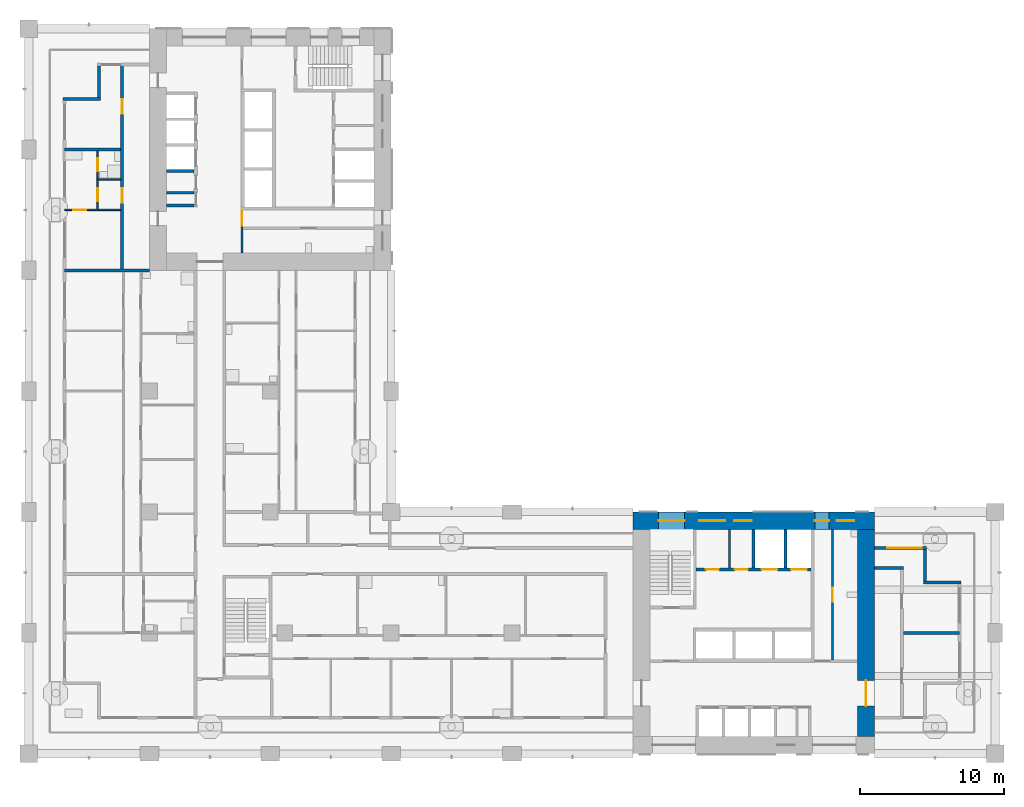
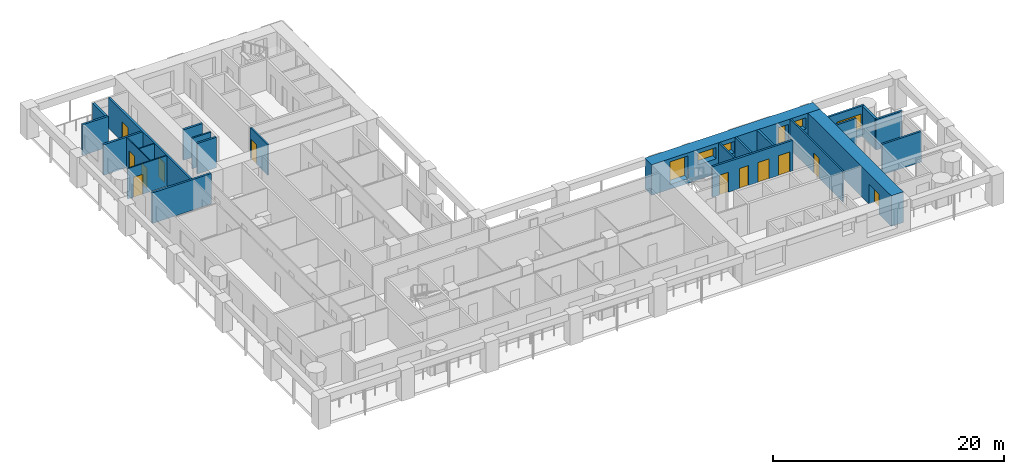
# One storey, part 6 of 18: 24 walls, 12 doors, 6 windows, 18 openings.
"""IFC4 building model written with IfcOpenShell, lengths in metres."""

from ifc_helpers import new_model, si_unit, direction, frame, frame_2d, origin, place, context, subcontext, project, spatial, rectangle, extrude, material, layer, layer_set, type_object, element, fill, save


model = new_model("IFC4")

# Units and contexts
model_context = context("Model", 3, precision=1e-05, world=origin(), true_north=direction((0.0, 1.0)))
body_context = subcontext(model_context, "Body", "Model", "MODEL_VIEW")
ifc_project = project(units=[si_unit("LENGTHUNIT", "METRE"), si_unit("AREAUNIT", "SQUARE_METRE"), si_unit("VOLUMEUNIT", "CUBIC_METRE"), si_unit("PLANEANGLEUNIT", "RADIAN"), si_unit("MASSUNIT", "GRAM", prefix="KILO")], contexts=[model_context])

# Site, building, storey
site_placement = place(None, origin())
site = spatial("IfcSite", under=ifc_project, at=site_placement, CompositionType="ELEMENT")
building_placement = place(site_placement, origin())
building = spatial("IfcBuilding", under=site, at=building_placement, Name="Vermilion Gate Residences", CompositionType="ELEMENT")
storey_placement = place(building_placement, frame((0.0, 0.0, 109.199951171875)))
storey = spatial("IfcBuildingStorey", under=building, at=storey_placement, Name="L27", CompositionType="ELEMENT", Elevation=109.199951171875)

# Wall
ifc_material_1 = material(Name="Masonry blockwork", Category="masonry")
ifc_layer_1 = layer(ifc_material_1, 0.14990234375)
ifc_layer_set_1 = layer_set([ifc_layer_1], Name="BLOCKWORK PARTITION 150 EI 120")
wall_type_1 = type_object("IfcWallType", Name="BLOCKWORK PARTITION 150 EI 120", PredefinedType="PARTITIONING", material=ifc_layer_set_1)
wall_1_placement = place(storey_placement, frame((48.72509765625, 21.300048828125, 0.0), z_axis=(0.0, 0.0, 1.0), x_axis=(0.0, 1.0, 0.0)))
element("IfcWall", 1, at=wall_1_placement, inside=storey, type_object=wall_type_1, Name="Core room partition A27-NR-P0", PredefinedType="PARTITIONING", context=body_context, shape_type="SweptSolid", body=[
    extrude(rectangle(XDim=2.699951171875, YDim=0.14990234375, at=frame_2d((1.35009765625, 0.0))), origin(), (0.0, 0.0, 1.0), 3.219970703125),
])

# Wall, opening, door
wall_2_placement = place(storey_placement, frame((55.875, 14.89990234375, 0.0), z_axis=(0.0, 0.0, 1.0), x_axis=(0.0, 1.0, 0.0)))
wall_2 = element("IfcWall", 2, at=wall_2_placement, inside=storey, type_object=wall_type_1, Name="Core room partition A27-ES-W", PredefinedType="PARTITIONING", context=body_context, shape_type="SweptSolid", body=[
    extrude(rectangle(XDim=9.10009765625, YDim=0.14990234375, at=frame_2d((4.550048828125, 0.0))), origin(), (0.0, 0.0, 1.0), 3.219970703125),
])
opening_1_placement = place(wall_2_placement, frame((4.050048828125, 0.0, 0.0)))
opening_1 = element("IfcOpeningElement", 3, at=opening_1_placement, cuts=wall_2, Name="Opening DK27015", PredefinedType="OPENING", context=body_context, shape_type="SweptSolid", body=[
    extrude(rectangle(XDim=1.0, YDim=2.10009765625, at=frame_2d((0.5, 1.050048828125))), frame((0.0, 0.0849609375, 0.0), z_axis=(0.0, -1.0, 0.0), x_axis=(1.0, 0.0, 0.0)), (0.0, 0.0, 1.0), 0.169921875),
])
ifc_material_2 = material(Name="Steel", Category="steel")
door_type_1 = type_object("IfcDoorType", Name="FIRE DOOR FD60 1000 X 2100", OperationType="SINGLE_SWING_LEFT", PredefinedType="DOOR", material=ifc_material_2)
door_1_placement = place(opening_1_placement, frame((1.0, 0.0, 0.0), z_axis=(0.0, 0.0, 1.0), x_axis=(-1.0, 0.0, 0.0)))
door_1 = element("IfcDoor", 4, at=door_1_placement, inside=storey, type_object=door_type_1, Name="Accessible WC A27", OperationType="SINGLE_SWING_RIGHT", OverallHeight=2.10009765625, OverallWidth=1.0, PredefinedType="DOOR", context=body_context, shape_type="SweptSolid", body=[
    extrude(rectangle(XDim=1.0, YDim=2.10009765625, at=frame_2d((0.5, 1.050048828125))), frame((0.0, 0.02490234375, 0.0), z_axis=(0.0, -1.0, 0.0), x_axis=(1.0, 0.0, 0.0)), (0.0, 0.0, 1.0), 0.050048828125),
])
fill(opening_1, door_1)

# Wall
wall_3_placement = place(storey_placement, frame((9.60009765625, 47.392578125, 0.0), z_axis=(0.0, 0.0, 1.0), x_axis=(1.0, 0.0, 0.0)))
element("IfcWall", 5, at=wall_3_placement, inside=storey, type_object=wall_type_1, Name="Core room partition B27-SR-P0", PredefinedType="PARTITIONING", context=body_context, shape_type="SweptSolid", body=[
    extrude(rectangle(XDim=1.89990234375, YDim=0.14990234375, at=frame_2d((0.949951171875, 0.0))), origin(), (0.0, 0.0, 1.0), 3.219970703125),
])

# Wall, opening, door
wall_4_placement = place(storey_placement, frame((14.824951171875, 46.199951171875, 0.0), z_axis=(0.0, 0.0, 1.0), x_axis=(0.0, -1.0, 0.0)))
wall_4 = element("IfcWall", 6, at=wall_4_placement, inside=storey, type_object=wall_type_1, Name="Core room partition B27-ES-S", PredefinedType="PARTITIONING", context=body_context, shape_type="SweptSolid", body=[
    extrude(rectangle(XDim=3.0, YDim=0.14990234375, at=frame_2d((1.5, 0.0))), origin(), (0.0, 0.0, 1.0), 3.219970703125),
])
opening_2_placement = place(wall_4_placement, frame((0.10009765625, 0.0, 0.0)))
opening_2 = element("IfcOpeningElement", 7, at=opening_2_placement, cuts=wall_4, Name="Opening DK27115", PredefinedType="OPENING", context=body_context, shape_type="SweptSolid", body=[
    extrude(rectangle(XDim=1.0, YDim=2.10009765625, at=frame_2d((0.5, 1.050048828125))), frame((0.0, 0.0849609375, 0.0), z_axis=(0.0, -1.0, 0.0), x_axis=(1.0, 0.0, 0.0)), (0.0, 0.0, 1.0), 0.169921875),
])
door_2_placement = place(opening_2_placement, frame((1.0, 0.0, 0.0), z_axis=(0.0, 0.0, 1.0), x_axis=(-1.0, 0.0, 0.0)))
door_2 = element("IfcDoor", 8, at=door_2_placement, inside=storey, type_object=door_type_1, Name="Service corridor door B27", OperationType="SINGLE_SWING_LEFT", OverallHeight=2.10009765625, OverallWidth=1.0, PredefinedType="DOOR", context=body_context, shape_type="SweptSolid", body=[
    extrude(rectangle(XDim=1.0, YDim=2.10009765625, at=frame_2d((0.5, 1.050048828125))), frame((0.0, 0.02490234375, 0.0), z_axis=(0.0, -1.0, 0.0), x_axis=(1.0, 0.0, 0.0)), (0.0, 0.0, 1.0), 0.050048828125),
])
fill(opening_2, door_2)

# Walls
ifc_material_3 = material(Name="Insulated steel stud wall with terracotta rainscreen", Category="masonry")
ifc_layer_2 = layer(ifc_material_3, 0.199951171875)
ifc_layer_set_2 = layer_set([ifc_layer_2], Name="EXTERNAL WALL 200 TERRACOTTA RAINSCREEN")
wall_type_2 = type_object("IfcWallType", Name="EXTERNAL WALL 200 TERRACOTTA RAINSCREEN", PredefinedType="SOLIDWALL", material=ifc_layer_set_2)
wall_5_placement = place(storey_placement, frame((4.89990234375, 56.199951171875, 0.0), z_axis=(0.0, 0.0, 1.0), x_axis=(0.0, -1.0, 0.0)))
element("IfcWall", 9, at=wall_5_placement, inside=storey, type_object=wall_type_2, Name="External wall", PredefinedType="SOLIDWALL", context=body_context, shape_type="SweptSolid", body=[
    extrude(rectangle(XDim=2.199951171875, YDim=0.199951171875, at=frame_2d((1.10009765625, 0.0))), origin(), (0.0, 0.0, 1.0), 3.219970703125),
])
for number, where, z_axis, x_axis, name in (
    (10, (5.0, 53.89990234375, 0.0), (0.0, 0.0, 1.0), (-1.0, 0.0, 0.0), "External wall"),
    (11, (64.800048828125, 20.300048828125, 0.0), (0.0, 0.0, 1.0), (-1.0, 0.0, 0.0), "External wall"),
):
    element("IfcWall", number, at=place(storey_placement, frame(where, z_axis=z_axis, x_axis=x_axis)), inside=storey, type_object=wall_type_2, Name=name, PredefinedType="SOLIDWALL", context=body_context, shape_type="SweptSolid", body=[
        extrude(rectangle(XDim=2.60009765625, YDim=0.199951171875, at=frame_2d((1.300048828125, 0.0))), origin(), (0.0, 0.0, 1.0), 3.219970703125),
    ])
wall_6_placement = place(storey_placement, frame((62.300048828125, 20.39990234375, 0.0), z_axis=(0.0, 0.0, 1.0), x_axis=(0.0, 1.0, 0.0)))
element("IfcWall", 12, at=wall_6_placement, inside=storey, type_object=wall_type_2, Name="External wall", PredefinedType="SOLIDWALL", context=body_context, shape_type="SweptSolid", body=[
    extrude(rectangle(XDim=2.2001953125, YDim=0.199951171875, at=frame_2d((1.10009765625, 0.0))), origin(), (0.0, 0.0, 1.0), 3.219970703125),
])

# Wall, opening, window
wall_7_placement = place(storey_placement, frame((62.39990234375, 22.699951171875, 0.0), z_axis=(0.0, 0.0, 1.0), x_axis=(-1.0, 0.0, 0.0)))
wall_7 = element("IfcWall", 13, at=wall_7_placement, inside=storey, type_object=wall_type_2, Name="External wall", PredefinedType="SOLIDWALL", context=body_context, shape_type="SweptSolid", body=[
    extrude(rectangle(XDim=3.599853515625, YDim=0.199951171875, at=frame_2d((1.7998046875, 0.0))), origin(), (0.0, 0.0, 1.0), 3.219970703125),
])
opening_3_placement = place(wall_7_placement, frame((0.300048828125, 0.0, 0.89990234375)))
opening_3 = element("IfcOpeningElement", 14, at=opening_3_placement, cuts=wall_7, Name="Opening WE27023", PredefinedType="OPENING", context=body_context, shape_type="SweptSolid", body=[
    extrude(rectangle(XDim=2.39990234375, YDim=1.5, at=frame_2d((1.199951171875, 0.75))), frame((0.0, 0.10986328125, 0.0), z_axis=(0.0, -1.0, 0.0), x_axis=(1.0, 0.0, 0.0)), (0.0, 0.0, 1.0), 0.219970703125),
])
ifc_material_4 = material(Name="Aluminium and clear glass", Category="aluminium")
window_type_1 = type_object("IfcWindowType", Name="WINDOW 2400 X 1500", PartitioningType="SINGLE_PANEL", PredefinedType="WINDOW", material=ifc_material_4)
window_1_placement = place(opening_3_placement, origin())
window_1 = element("IfcWindow", 15, at=window_1_placement, inside=storey, type_object=window_type_1, Name="Window", OverallHeight=1.5, OverallWidth=2.39990234375, PartitioningType="SINGLE_PANEL", PredefinedType="WINDOW", context=body_context, shape_type="SweptSolid", body=[
    extrude(rectangle(XDim=2.39990234375, YDim=1.5, at=frame_2d((1.199951171875, 0.75))), frame((0.0, 0.030029296875, 0.0), z_axis=(0.0, -1.0, 0.0), x_axis=(1.0, 0.0, 0.0)), (0.0, 0.0, 1.0), 0.06005859375),
])
fill(opening_3, window_1)

# Wall, opening, door
ifc_material_5 = material(Name="Plasterboard on steel studs", Category="steel")
ifc_layer_3 = layer(ifc_material_5, 0.10009765625)
ifc_layer_set_3 = layer_set([ifc_layer_3], Name="PARTITION 100")
wall_type_3 = type_object("IfcWallType", Name="PARTITION 100", PredefinedType="PARTITIONING", material=ifc_layer_set_3)
wall_8_placement = place(storey_placement, frame((2.5, 46.199951171875, 0.0), z_axis=(0.0, 0.0, 1.0), x_axis=(1.0, 0.0, 0.0)))
wall_8 = element("IfcWall", 16, at=wall_8_placement, inside=storey, type_object=wall_type_3, Name="Partition", PredefinedType="PARTITIONING", context=body_context, shape_type="SweptSolid", body=[
    extrude(rectangle(XDim=3.89990234375, YDim=0.10009765625, at=frame_2d((1.949951171875, 0.0))), origin(), (0.0, 0.0, 1.0), 3.219970703125),
])
opening_4_placement = place(wall_8_placement, frame((0.60009765625, 0.0, 0.0)))
opening_4 = element("IfcOpeningElement", 17, at=opening_4_placement, cuts=wall_8, Name="Opening DA25015", PredefinedType="OPENING", context=body_context, shape_type="SweptSolid", body=[
    extrude(rectangle(XDim=0.89990234375, YDim=2.10009765625, at=frame_2d((0.449951171875, 1.050048828125))), frame((0.0, 0.06005859375, 0.0), z_axis=(0.0, -1.0, 0.0), x_axis=(1.0, 0.0, 0.0)), (0.0, 0.0, 1.0), 0.1201171875),
])
ifc_material_6 = material(Name="Timber", Category="wood")
door_type_2 = type_object("IfcDoorType", Name="INTERIOR DOOR 900 X 2100", OperationType="SINGLE_SWING_LEFT", PredefinedType="DOOR", material=ifc_material_6)
door_3_placement = place(opening_4_placement, origin())
door_3 = element("IfcDoor", 18, at=door_3_placement, inside=storey, type_object=door_type_2, Name="Interior door", OperationType="SINGLE_SWING_LEFT", OverallHeight=2.10009765625, OverallWidth=0.89990234375, PredefinedType="DOOR", context=body_context, shape_type="SweptSolid", body=[
    extrude(rectangle(XDim=0.89990234375, YDim=2.10009765625, at=frame_2d((0.449951171875, 1.050048828125))), frame((0.0, 0.02490234375, 0.0), z_axis=(0.0, -1.0, 0.0), x_axis=(1.0, 0.0, 0.0)), (0.0, 0.0, 1.0), 0.050048828125),
])
fill(opening_4, door_3)

# Wall
wall_9_placement = place(storey_placement, frame((4.85009765625, 48.300048828125, 0.0), z_axis=(0.0, 0.0, 1.0), x_axis=(1.0, 0.0, 0.0)))
element("IfcWall", 19, at=wall_9_placement, inside=storey, type_object=wall_type_3, Name="Partition", PredefinedType="PARTITIONING", context=body_context, shape_type="SweptSolid", body=[
    extrude(rectangle(XDim=1.5498046875, YDim=0.10009765625, at=frame_2d((0.77490234375, 0.0))), origin(), (0.0, 0.0, 1.0), 3.219970703125),
])

# Wall, openings, doors
wall_10_placement = place(storey_placement, frame((4.800048828125, 46.25, 0.0), z_axis=(0.0, 0.0, 1.0), x_axis=(0.0, 1.0, 0.0)))
wall_10 = element("IfcWall", 20, at=wall_10_placement, inside=storey, type_object=wall_type_3, Name="Partition", PredefinedType="PARTITIONING", context=body_context, shape_type="SweptSolid", body=[
    extrude(rectangle(XDim=4.050048828125, YDim=0.10009765625, at=frame_2d((2.02490234375, 0.0))), origin(), (0.0, 0.0, 1.0), 3.219970703125),
])
opening_5_placement = place(wall_10_placement, frame((0.550048828125, 0.0, 0.0)))
opening_5 = element("IfcOpeningElement", 21, at=opening_5_placement, cuts=wall_10, Name="Opening DA25016", PredefinedType="OPENING", context=body_context, shape_type="SweptSolid", body=[
    extrude(rectangle(XDim=0.89990234375, YDim=2.10009765625, at=frame_2d((0.449951171875, 1.050048828125))), frame((0.0, 0.06005859375, 0.0), z_axis=(0.0, -1.0, 0.0), x_axis=(1.0, 0.0, 0.0)), (0.0, 0.0, 1.0), 0.1201171875),
])
opening_6_placement = place(wall_10_placement, frame((2.64990234375, 0.0, 0.0)))
opening_6 = element("IfcOpeningElement", 22, at=opening_6_placement, cuts=wall_10, Name="Opening DA25017", PredefinedType="OPENING", context=body_context, shape_type="SweptSolid", body=[
    extrude(rectangle(XDim=0.89990234375, YDim=2.10009765625, at=frame_2d((0.449951171875, 1.050048828125))), frame((0.0, 0.06005859375, 0.0), z_axis=(0.0, -1.0, 0.0), x_axis=(1.0, 0.0, 0.0)), (0.0, 0.0, 1.0), 0.1201171875),
])
door_4_placement = place(opening_5_placement, origin())
door_4 = element("IfcDoor", 23, at=door_4_placement, inside=storey, type_object=door_type_2, Name="Interior door", OperationType="SINGLE_SWING_LEFT", OverallHeight=2.10009765625, OverallWidth=0.89990234375, PredefinedType="DOOR", context=body_context, shape_type="SweptSolid", body=[
    extrude(rectangle(XDim=0.89990234375, YDim=2.10009765625, at=frame_2d((0.449951171875, 1.050048828125))), frame((0.0, 0.02490234375, 0.0), z_axis=(0.0, -1.0, 0.0), x_axis=(1.0, 0.0, 0.0)), (0.0, 0.0, 1.0), 0.050048828125),
])
fill(opening_5, door_4)
door_5_placement = place(opening_6_placement, frame((0.89990234375, 0.0, 0.0), z_axis=(0.0, 0.0, 1.0), x_axis=(-1.0, 0.0, 0.0)))
door_5 = element("IfcDoor", 24, at=door_5_placement, inside=storey, type_object=door_type_2, Name="Interior door", OperationType="SINGLE_SWING_RIGHT", OverallHeight=2.10009765625, OverallWidth=0.89990234375, PredefinedType="DOOR", context=body_context, shape_type="SweptSolid", body=[
    extrude(rectangle(XDim=0.89990234375, YDim=2.10009765625, at=frame_2d((0.449951171875, 1.050048828125))), frame((0.0, 0.02490234375, 0.0), z_axis=(0.0, -1.0, 0.0), x_axis=(1.0, 0.0, 0.0)), (0.0, 0.0, 1.0), 0.050048828125),
])
fill(opening_6, door_5)

# Walls
ifc_material_7 = material(Name="Fire-rated plasterboard on steel studs", Category="steel")
ifc_layer_4 = layer(ifc_material_7, 0.199951171875)
ifc_layer_set_4 = layer_set([ifc_layer_4], Name="PARTY WALL 200 EI 120")
wall_type_4 = type_object("IfcWallType", Name="PARTY WALL 200 EI 120", PredefinedType="PARTITIONING", material=ifc_layer_set_4)
wall_11_placement = place(storey_placement, frame((60.800048828125, 16.800048828125, 0.0), z_axis=(0.0, 0.0, 1.0), x_axis=(1.0, 0.0, 0.0)))
element("IfcWall", 25, at=wall_11_placement, inside=storey, type_object=wall_type_4, Name="Party and corridor wall", PredefinedType="PARTITIONING", context=body_context, shape_type="SweptSolid", body=[
    extrude(rectangle(XDim=3.89990234375, YDim=0.199951171875, at=frame_2d((1.949951171875, 0.0))), origin(), (0.0, 0.0, 1.0), 3.219970703125),
])
wall_12_placement = place(storey_placement, frame((58.800048828125, 21.300048828125, 0.0), z_axis=(0.0, 0.0, 1.0), x_axis=(1.0, 0.0, 0.0)))
element("IfcWall", 26, at=wall_12_placement, inside=storey, type_object=wall_type_4, Name="Party and corridor wall", PredefinedType="PARTITIONING", context=body_context, shape_type="SweptSolid", body=[
    extrude(rectangle(XDim=2.0, YDim=0.199951171875, at=frame_2d((1.0, 0.0))), origin(), (0.0, 0.0, 1.0), 3.219970703125),
])
wall_13_placement = place(storey_placement, frame((2.5, 42.0, 0.0), z_axis=(0.0, 0.0, 1.0), x_axis=(1.0, 0.0, 0.0)))
element("IfcWall", 27, at=wall_13_placement, inside=storey, type_object=wall_type_4, Name="Party and corridor wall", PredefinedType="PARTITIONING", context=body_context, shape_type="SweptSolid", body=[
    extrude(rectangle(XDim=5.89990234375, YDim=0.199951171875, at=frame_2d((2.949951171875, 0.0))), origin(), (0.0, 0.0, 1.0), 3.219970703125),
])
wall_14_placement = place(storey_placement, frame((2.5, 50.39990234375, 0.0), z_axis=(0.0, 0.0, 1.0), x_axis=(1.0, 0.0, 0.0)))
element("IfcWall", 28, at=wall_14_placement, inside=storey, type_object=wall_type_4, Name="Party and corridor wall", PredefinedType="PARTITIONING", context=body_context, shape_type="SweptSolid", body=[
    extrude(rectangle(XDim=3.89990234375, YDim=0.199951171875, at=frame_2d((1.949951171875, 0.0))), origin(), (0.0, 0.0, 1.0), 3.219970703125),
])

# Wall, openings, doors
wall_15_placement = place(storey_placement, frame((6.5, 42.10009765625, 0.0), z_axis=(0.0, 0.0, 1.0), x_axis=(0.0, 1.0, 0.0)))
wall_15 = element("IfcWall", 29, at=wall_15_placement, inside=storey, type_object=wall_type_4, Name="Party and corridor wall", PredefinedType="PARTITIONING", context=body_context, shape_type="SweptSolid", body=[
    extrude(rectangle(XDim=14.199951171875, YDim=0.199951171875, at=frame_2d((7.10009765625, 0.0))), origin(), (0.0, 0.0, 1.0), 3.219970703125),
])
opening_7_placement = place(wall_15_placement, frame((4.60009765625, 0.0, 0.0)))
opening_7 = element("IfcOpeningElement", 30, at=opening_7_placement, cuts=wall_15, Name="Opening DA25018", PredefinedType="OPENING", context=body_context, shape_type="SweptSolid", body=[
    extrude(rectangle(XDim=1.0, YDim=2.10009765625, at=frame_2d((0.5, 1.050048828125))), frame((0.0, 0.10986328125, 0.0), z_axis=(0.0, -1.0, 0.0), x_axis=(1.0, 0.0, 0.0)), (0.0, 0.0, 1.0), 0.219970703125),
])
opening_8_placement = place(wall_15_placement, frame((10.800048828125, 0.0, 0.0)))
opening_8 = element("IfcOpeningElement", 31, at=opening_8_placement, cuts=wall_15, Name="Opening DA25019", PredefinedType="OPENING", context=body_context, shape_type="SweptSolid", body=[
    extrude(rectangle(XDim=1.0, YDim=2.10009765625, at=frame_2d((0.5, 1.050048828125))), frame((0.0, 0.10986328125, 0.0), z_axis=(0.0, -1.0, 0.0), x_axis=(1.0, 0.0, 0.0)), (0.0, 0.0, 1.0), 0.219970703125),
])
ifc_material_8 = material(Name="Steel", Category="steel")
door_type_3 = type_object("IfcDoorType", Name="ENTRANCE DOOR 1000 X 2100 FD30", OperationType="SINGLE_SWING_LEFT", PredefinedType="DOOR", material=ifc_material_8)
door_6_placement = place(opening_7_placement, origin())
door_6 = element("IfcDoor", 32, at=door_6_placement, inside=storey, type_object=door_type_3, Name="Entrance door", OperationType="SINGLE_SWING_LEFT", OverallHeight=2.10009765625, OverallWidth=1.0, PredefinedType="DOOR", context=body_context, shape_type="SweptSolid", body=[
    extrude(rectangle(XDim=1.0, YDim=2.10009765625, at=frame_2d((0.5, 1.050048828125))), frame((0.0, 0.02490234375, 0.0), z_axis=(0.0, -1.0, 0.0), x_axis=(1.0, 0.0, 0.0)), (0.0, 0.0, 1.0), 0.050048828125),
])
fill(opening_7, door_6)
door_7_placement = place(opening_8_placement, origin())
door_7 = element("IfcDoor", 33, at=door_7_placement, inside=storey, type_object=door_type_3, Name="Entrance door", OperationType="SINGLE_SWING_RIGHT", OverallHeight=2.10009765625, OverallWidth=1.0, PredefinedType="DOOR", context=body_context, shape_type="SweptSolid", body=[
    extrude(rectangle(XDim=1.0, YDim=2.10009765625, at=frame_2d((0.5, 1.050048828125))), frame((0.0, 0.02490234375, 0.0), z_axis=(0.0, -1.0, 0.0), x_axis=(1.0, 0.0, 0.0)), (0.0, 0.0, 1.0), 0.050048828125),
])
fill(opening_8, door_7)

# Walls
ifc_material_9 = material(Name="Concrete C60", Category="concrete")
ifc_layer_5 = layer(ifc_material_9, 0.199951171875)
ifc_layer_set_5 = layer_set([ifc_layer_5], Name="RC CORE INTERNAL WALL 200 C60")
wall_type_5 = type_object("IfcWallType", Name="RC CORE INTERNAL WALL 200 C60", PredefinedType="SHEAR", material=ifc_layer_set_5)
for number, where, z_axis, x_axis, name in (
    (34, (50.39990234375, 21.300048828125, 0.0), (0.0, 0.0, 1.0), (0.0, 1.0, 0.0), "Core internal wall A27-FF-D0"),
    (35, (52.60009765625, 21.300048828125, 0.0), (0.0, 0.0, 1.0), (0.0, 1.0, 0.0), "Core internal wall A27-FF-D1"),
):
    element("IfcWall", number, at=place(storey_placement, frame(where, z_axis=z_axis, x_axis=x_axis)), inside=storey, type_object=wall_type_5, Name=name, PredefinedType="SHEAR", context=body_context, shape_type="SweptSolid", body=[
        extrude(rectangle(XDim=2.699951171875, YDim=0.199951171875, at=frame_2d((1.35009765625, 0.0))), origin(), (0.0, 0.0, 1.0), 3.219970703125),
    ])

# Wall, openings, doors
wall_16_placement = place(storey_placement, frame((46.39990234375, 21.199951171875, 0.0), z_axis=(0.0, 0.0, 1.0), x_axis=(1.0, 0.0, 0.0)))
wall_16 = element("IfcWall", 36, at=wall_16_placement, inside=storey, type_object=wall_type_5, Name="Core internal wall A27-FF-F", PredefinedType="SHEAR", context=body_context, shape_type="SweptSolid", body=[
    extrude(rectangle(XDim=8.0, YDim=0.199951171875, at=frame_2d((4.0, 0.0))), origin(), (0.0, 0.0, 1.0), 3.219970703125),
])
opening_9_placement = place(wall_16_placement, frame((0.675048828125, 0.0, 0.0)))
opening_9 = element("IfcOpeningElement", 37, at=opening_9_placement, cuts=wall_16, Name="Opening DK27008", PredefinedType="OPENING", context=body_context, shape_type="SweptSolid", body=[
    extrude(rectangle(XDim=0.89990234375, YDim=2.10009765625, at=frame_2d((0.449951171875, 1.050048828125))), frame((0.0, 0.10986328125, 0.0), z_axis=(0.0, -1.0, 0.0), x_axis=(1.0, 0.0, 0.0)), (0.0, 0.0, 1.0), 0.219970703125),
])
opening_10_placement = place(wall_16_placement, frame((2.699951171875, 0.0, 0.0)))
opening_10 = element("IfcOpeningElement", 38, at=opening_10_placement, cuts=wall_16, Name="Opening DK27009", PredefinedType="OPENING", context=body_context, shape_type="SweptSolid", body=[
    extrude(rectangle(XDim=0.89990234375, YDim=2.10009765625, at=frame_2d((0.449951171875, 1.050048828125))), frame((0.0, 0.10986328125, 0.0), z_axis=(0.0, -1.0, 0.0), x_axis=(1.0, 0.0, 0.0)), (0.0, 0.0, 1.0), 0.219970703125),
])
opening_11_placement = place(wall_16_placement, frame((4.550048828125, 0.0, 0.0)))
opening_11 = element("IfcOpeningElement", 39, at=opening_11_placement, cuts=wall_16, Name="Opening LD", PredefinedType="OPENING", context=body_context, shape_type="SweptSolid", body=[
    extrude(rectangle(XDim=1.10009765625, YDim=2.10009765625, at=frame_2d((0.550048828125, 1.050048828125))), frame((0.0, 0.10986328125, 0.0), z_axis=(0.0, -1.0, 0.0), x_axis=(1.0, 0.0, 0.0)), (0.0, 0.0, 1.0), 0.219970703125),
])
opening_12_placement = place(wall_16_placement, frame((6.60009765625, 0.0, 0.0)))
opening_12 = element("IfcOpeningElement", 40, at=opening_12_placement, cuts=wall_16, Name="Opening LD", PredefinedType="OPENING", context=body_context, shape_type="SweptSolid", body=[
    extrude(rectangle(XDim=1.10009765625, YDim=2.10009765625, at=frame_2d((0.550048828125, 1.050048828125))), frame((0.0, 0.10986328125, 0.0), z_axis=(0.0, -1.0, 0.0), x_axis=(1.0, 0.0, 0.0)), (0.0, 0.0, 1.0), 0.219970703125),
])
ifc_material_10 = material(Name="Stainless steel", Category="steel")
door_type_4 = type_object("IfcDoorType", Name="LIFT LANDING DOOR E60 1100 X 2100", OperationType="DOUBLE_DOOR_SLIDING", PredefinedType="DOOR", material=ifc_material_10)
door_8_placement = place(opening_11_placement, origin())
door_8 = element("IfcDoor", 41, at=door_8_placement, inside=storey, type_object=door_type_4, Name="Lift landing door LFA1", OperationType="DOUBLE_DOOR_SLIDING", OverallHeight=2.10009765625, OverallWidth=1.10009765625, PredefinedType="DOOR", context=body_context, shape_type="SweptSolid", body=[
    extrude(rectangle(XDim=1.10009765625, YDim=2.10009765625, at=frame_2d((0.550048828125, 1.050048828125))), frame((0.0, 0.02490234375, 0.0), z_axis=(0.0, -1.0, 0.0), x_axis=(1.0, 0.0, 0.0)), (0.0, 0.0, 1.0), 0.050048828125),
])
fill(opening_11, door_8)
door_9_placement = place(opening_12_placement, origin())
door_9 = element("IfcDoor", 42, at=door_9_placement, inside=storey, type_object=door_type_4, Name="Lift landing door LCA1", OperationType="DOUBLE_DOOR_SLIDING", OverallHeight=2.10009765625, OverallWidth=1.10009765625, PredefinedType="DOOR", context=body_context, shape_type="SweptSolid", body=[
    extrude(rectangle(XDim=1.10009765625, YDim=2.10009765625, at=frame_2d((0.550048828125, 1.050048828125))), frame((0.0, 0.02490234375, 0.0), z_axis=(0.0, -1.0, 0.0), x_axis=(1.0, 0.0, 0.0)), (0.0, 0.0, 1.0), 0.050048828125),
])
fill(opening_12, door_9)
ifc_material_11 = material(Name="Steel", Category="steel")
door_type_5 = type_object("IfcDoorType", Name="SERVICE ROOM DOOR FD60 900 X 2100", OperationType="SINGLE_SWING_LEFT", PredefinedType="DOOR", material=ifc_material_11)
door_10_placement = place(opening_9_placement, origin())
door_10 = element("IfcDoor", 43, at=door_10_placement, inside=storey, type_object=door_type_5, Name="Housekeeping store A27", OperationType="SINGLE_SWING_LEFT", OverallHeight=2.10009765625, OverallWidth=0.89990234375, PredefinedType="DOOR", context=body_context, shape_type="SweptSolid", body=[
    extrude(rectangle(XDim=0.89990234375, YDim=2.10009765625, at=frame_2d((0.449951171875, 1.050048828125))), frame((0.0, 0.02490234375, 0.0), z_axis=(0.0, -1.0, 0.0), x_axis=(1.0, 0.0, 0.0)), (0.0, 0.0, 1.0), 0.050048828125),
])
fill(opening_9, door_10)
door_11_placement = place(opening_10_placement, origin())
door_11 = element("IfcDoor", 44, at=door_11_placement, inside=storey, type_object=door_type_5, Name="Mail room A27", OperationType="SINGLE_SWING_LEFT", OverallHeight=2.10009765625, OverallWidth=0.89990234375, PredefinedType="DOOR", context=body_context, shape_type="SweptSolid", body=[
    extrude(rectangle(XDim=0.89990234375, YDim=2.10009765625, at=frame_2d((0.449951171875, 1.050048828125))), frame((0.0, 0.02490234375, 0.0), z_axis=(0.0, -1.0, 0.0), x_axis=(1.0, 0.0, 0.0)), (0.0, 0.0, 1.0), 0.050048828125),
])
fill(opening_10, door_11)

# Walls
for number, where, z_axis, x_axis, name in (
    (45, (9.60009765625, 48.89990234375, 0.0), (0.0, 0.0, 1.0), (1.0, 0.0, 0.0), "Core internal wall B27-LR-D3"),
    (46, (9.60009765625, 46.5, 0.0), (0.0, 0.0, 1.0), (1.0, 0.0, 0.0), "Core internal wall B27-LR-DE"),
):
    element("IfcWall", number, at=place(storey_placement, frame(where, z_axis=z_axis, x_axis=x_axis)), inside=storey, type_object=wall_type_5, Name=name, PredefinedType="SHEAR", context=body_context, shape_type="SweptSolid", body=[
        extrude(rectangle(XDim=1.89990234375, YDim=0.199951171875, at=frame_2d((0.949951171875, 0.0))), origin(), (0.0, 0.0, 1.0), 3.219970703125),
    ])

# Wall, opening, door
ifc_material_12 = material(Name="Concrete C70", Category="concrete")
ifc_layer_6 = layer(ifc_material_12, 1.199951171875)
ifc_layer_set_6 = layer_set([ifc_layer_6], Name="RC CORE WALL 1200 C70")
wall_type_6 = type_object("IfcWallType", Name="RC CORE WALL 1200 C70", PredefinedType="SHEAR", material=ifc_layer_set_6)
wall_17_placement = place(storey_placement, frame((58.199951171875, 9.60009765625, 0.0), z_axis=(0.0, 0.0, 1.0), x_axis=(0.0, 1.0, 0.0)))
wall_17 = element("IfcWall", 47, at=wall_17_placement, inside=storey, type_object=wall_type_6, Name="Core wall A27-OUT-BK", PredefinedType="SHEAR", context=body_context, shape_type="SweptSolid", body=[
    extrude(rectangle(XDim=14.39990234375, YDim=1.199951171875, at=frame_2d((7.199951171875, 0.0))), origin(), (0.0, 0.0, 1.0), 3.219970703125),
])
opening_13_placement = place(wall_17_placement, frame((2.10009765625, 0.0, 0.0)))
opening_13 = element("IfcOpeningElement", 48, at=opening_13_placement, cuts=wall_17, Name="Opening DK27002", PredefinedType="OPENING", context=body_context, shape_type="SweptSolid", body=[
    extrude(rectangle(XDim=1.800048828125, YDim=2.10009765625, at=frame_2d((0.89990234375, 1.050048828125))), frame((0.0, 0.60986328125, 0.0), z_axis=(0.0, -1.0, 0.0), x_axis=(1.0, 0.0, 0.0)), (0.0, 0.0, 1.0), 1.219970703125),
])
ifc_material_13 = material(Name="Steel", Category="steel")
door_type_6 = type_object("IfcDoorType", Name="CORE LOBBY DOOR FD60 1800 X 2100", OperationType="DOUBLE_DOOR_SINGLE_SWING", PredefinedType="DOOR", material=ifc_material_13)
door_12_placement = place(opening_13_placement, origin())
door_12 = element("IfcDoor", 49, at=door_12_placement, inside=storey, type_object=door_type_6, Name="Core lobby door A27", OperationType="DOUBLE_DOOR_SINGLE_SWING", OverallHeight=2.10009765625, OverallWidth=1.800048828125, PredefinedType="DOOR", context=body_context, shape_type="SweptSolid", body=[
    extrude(rectangle(XDim=1.800048828125, YDim=2.10009765625, at=frame_2d((0.89990234375, 1.050048828125))), frame((0.0, 0.02490234375, 0.0), z_axis=(0.0, -1.0, 0.0), x_axis=(1.0, 0.0, 0.0)), (0.0, 0.0, 1.0), 0.050048828125),
])
fill(opening_13, door_12)

# Wall, openings, windows
ifc_material_14 = material(Name="Concrete C70 red-oxide pigmented", Category="concrete")
ifc_layer_7 = layer(ifc_material_14, 1.199951171875)
ifc_layer_set_7 = layer_set([ifc_layer_7], Name="RC CORE WALL 1200 C70 RED OXIDE")
wall_type_7 = type_object("IfcWallType", Name="RC CORE WALL 1200 C70 RED OXIDE", PredefinedType="SHEAR", material=ifc_layer_set_7)
wall_18_placement = place(storey_placement, frame((42.0, 24.60009765625, 0.0), z_axis=(0.0, 0.0, 1.0), x_axis=(1.0, 0.0, 0.0)))
wall_18 = element("IfcWall", 50, at=wall_18_placement, inside=storey, type_object=wall_type_7, Name="Core wall A27-OUT-B1", PredefinedType="SHEAR", context=body_context, shape_type="SweptSolid", body=[
    extrude(rectangle(XDim=16.800048828125, YDim=1.199951171875, at=frame_2d((8.39990234375, 0.0))), origin(), (0.0, 0.0, 1.0), 3.219970703125),
])
opening_14_placement = place(wall_18_placement, frame((1.800048828125, 0.0, 0.5)))
opening_14 = element("IfcOpeningElement", 51, at=opening_14_placement, cuts=wall_18, Name="Opening WKA2704", PredefinedType="OPENING", context=body_context, shape_type="SweptSolid", body=[
    extrude(rectangle(XDim=1.800048828125, YDim=2.39990234375, at=frame_2d((0.89990234375, 1.199951171875))), frame((0.0, 0.60986328125, 0.0), z_axis=(0.0, -1.0, 0.0), x_axis=(1.0, 0.0, 0.0)), (0.0, 0.0, 1.0), 1.219970703125),
])
opening_15_placement = place(wall_18_placement, frame((4.625, 0.0, 1.60009765625)))
opening_15 = element("IfcOpeningElement", 52, at=opening_15_placement, cuts=wall_18, Name="Opening WKA2705", PredefinedType="OPENING", context=body_context, shape_type="SweptSolid", body=[
    extrude(rectangle(XDim=1.800048828125, YDim=1.199951171875, at=frame_2d((0.89990234375, 0.60009765625))), frame((0.0, 0.60986328125, 0.0), z_axis=(0.0, -1.0, 0.0), x_axis=(1.0, 0.0, 0.0)), (0.0, 0.0, 1.0), 1.219970703125),
])
opening_16_placement = place(wall_18_placement, frame((7.050048828125, 0.0, 1.60009765625)))
opening_16 = element("IfcOpeningElement", 53, at=opening_16_placement, cuts=wall_18, Name="Opening WKA2706", PredefinedType="OPENING", context=body_context, shape_type="SweptSolid", body=[
    extrude(rectangle(XDim=1.199951171875, YDim=1.199951171875, at=frame_2d((0.60009765625, 0.60009765625))), frame((0.0, 0.60986328125, 0.0), z_axis=(0.0, -1.0, 0.0), x_axis=(1.0, 0.0, 0.0)), (0.0, 0.0, 1.0), 1.219970703125),
])
opening_17_placement = place(wall_18_placement, frame((12.64990234375, 0.0, 0.60009765625)))
opening_17 = element("IfcOpeningElement", 54, at=opening_17_placement, cuts=wall_18, Name="Opening WKA2707", PredefinedType="OPENING", context=body_context, shape_type="SweptSolid", body=[
    extrude(rectangle(XDim=1.0, YDim=2.10009765625, at=frame_2d((0.5, 1.050048828125))), frame((0.0, 0.60986328125, 0.0), z_axis=(0.0, -1.0, 0.0), x_axis=(1.0, 0.0, 0.0)), (0.0, 0.0, 1.0), 1.219970703125),
])
opening_18_placement = place(wall_18_placement, frame((14.175048828125, 0.0, 1.60009765625)))
opening_18 = element("IfcOpeningElement", 55, at=opening_18_placement, cuts=wall_18, Name="Opening WKA2708", PredefinedType="OPENING", context=body_context, shape_type="SweptSolid", body=[
    extrude(rectangle(XDim=1.199951171875, YDim=1.199951171875, at=frame_2d((0.60009765625, 0.60009765625))), frame((0.0, 0.60986328125, 0.0), z_axis=(0.0, -1.0, 0.0), x_axis=(1.0, 0.0, 0.0)), (0.0, 0.0, 1.0), 1.219970703125),
])
ifc_material_15 = material(Name="Aluminium and clear glass", Category="aluminium")
window_type_2 = type_object("IfcWindowType", Name="CORE CORRIDOR WINDOW 1000 X 2100", PartitioningType="SINGLE_PANEL", PredefinedType="WINDOW", material=ifc_material_15)
window_2_placement = place(opening_17_placement, origin())
window_2 = element("IfcWindow", 56, at=window_2_placement, inside=storey, type_object=window_type_2, Name="Core corridor window", OverallHeight=2.10009765625, OverallWidth=1.0, PartitioningType="SINGLE_PANEL", PredefinedType="WINDOW", context=body_context, shape_type="SweptSolid", body=[
    extrude(rectangle(XDim=1.0, YDim=2.10009765625, at=frame_2d((0.5, 1.050048828125))), frame((0.0, 0.030029296875, 0.0), z_axis=(0.0, -1.0, 0.0), x_axis=(1.0, 0.0, 0.0)), (0.0, 0.0, 1.0), 0.06005859375),
])
fill(opening_17, window_2)
ifc_material_16 = material(Name="Aluminium frame with louvre blades", Category="aluminium")
window_type_3 = type_object("IfcWindowType", Name="CORE LOUVRE 1200 X 1200", PartitioningType="SINGLE_PANEL", PredefinedType="WINDOW", material=ifc_material_16)
window_3_placement = place(opening_16_placement, origin())
window_3 = element("IfcWindow", 57, at=window_3_placement, inside=storey, type_object=window_type_3, Name="Core louvre", OverallHeight=1.199951171875, OverallWidth=1.199951171875, PartitioningType="SINGLE_PANEL", PredefinedType="WINDOW", context=body_context, shape_type="SweptSolid", body=[
    extrude(rectangle(XDim=1.199951171875, YDim=1.199951171875, at=frame_2d((0.60009765625, 0.60009765625))), frame((0.0, 0.030029296875, 0.0), z_axis=(0.0, -1.0, 0.0), x_axis=(1.0, 0.0, 0.0)), (0.0, 0.0, 1.0), 0.06005859375),
])
fill(opening_16, window_3)
window_4_placement = place(opening_18_placement, origin())
window_4 = element("IfcWindow", 58, at=window_4_placement, inside=storey, type_object=window_type_3, Name="Core louvre", OverallHeight=1.199951171875, OverallWidth=1.199951171875, PartitioningType="SINGLE_PANEL", PredefinedType="WINDOW", context=body_context, shape_type="SweptSolid", body=[
    extrude(rectangle(XDim=1.199951171875, YDim=1.199951171875, at=frame_2d((0.60009765625, 0.60009765625))), frame((0.0, 0.030029296875, 0.0), z_axis=(0.0, -1.0, 0.0), x_axis=(1.0, 0.0, 0.0)), (0.0, 0.0, 1.0), 0.06005859375),
])
fill(opening_18, window_4)
ifc_material_17 = material(Name="Aluminium frame with louvre blades", Category="aluminium")
window_type_4 = type_object("IfcWindowType", Name="CORE LOUVRE 1800 X 1200", PartitioningType="SINGLE_PANEL", PredefinedType="WINDOW", material=ifc_material_17)
window_5_placement = place(opening_15_placement, origin())
window_5 = element("IfcWindow", 59, at=window_5_placement, inside=storey, type_object=window_type_4, Name="Core louvre", OverallHeight=1.199951171875, OverallWidth=1.800048828125, PartitioningType="SINGLE_PANEL", PredefinedType="WINDOW", context=body_context, shape_type="SweptSolid", body=[
    extrude(rectangle(XDim=1.800048828125, YDim=1.199951171875, at=frame_2d((0.89990234375, 0.60009765625))), frame((0.0, 0.030029296875, 0.0), z_axis=(0.0, -1.0, 0.0), x_axis=(1.0, 0.0, 0.0)), (0.0, 0.0, 1.0), 0.06005859375),
])
fill(opening_15, window_5)
ifc_material_18 = material(Name="Aluminium and clear glass", Category="aluminium")
window_type_5 = type_object("IfcWindowType", Name="CORE STAIR WINDOW 1800 X 2400", PartitioningType="SINGLE_PANEL", PredefinedType="WINDOW", material=ifc_material_18)
window_6_placement = place(opening_14_placement, origin())
window_6 = element("IfcWindow", 60, at=window_6_placement, inside=storey, type_object=window_type_5, Name="Core stair window", OverallHeight=2.39990234375, OverallWidth=1.800048828125, PartitioningType="SINGLE_PANEL", PredefinedType="WINDOW", context=body_context, shape_type="SweptSolid", body=[
    extrude(rectangle(XDim=1.800048828125, YDim=2.39990234375, at=frame_2d((0.89990234375, 1.199951171875))), frame((0.0, 0.030029296875, 0.0), z_axis=(0.0, -1.0, 0.0), x_axis=(1.0, 0.0, 0.0)), (0.0, 0.0, 1.0), 0.06005859375),
])
fill(opening_14, window_6)

save(model, "model.ifc")
